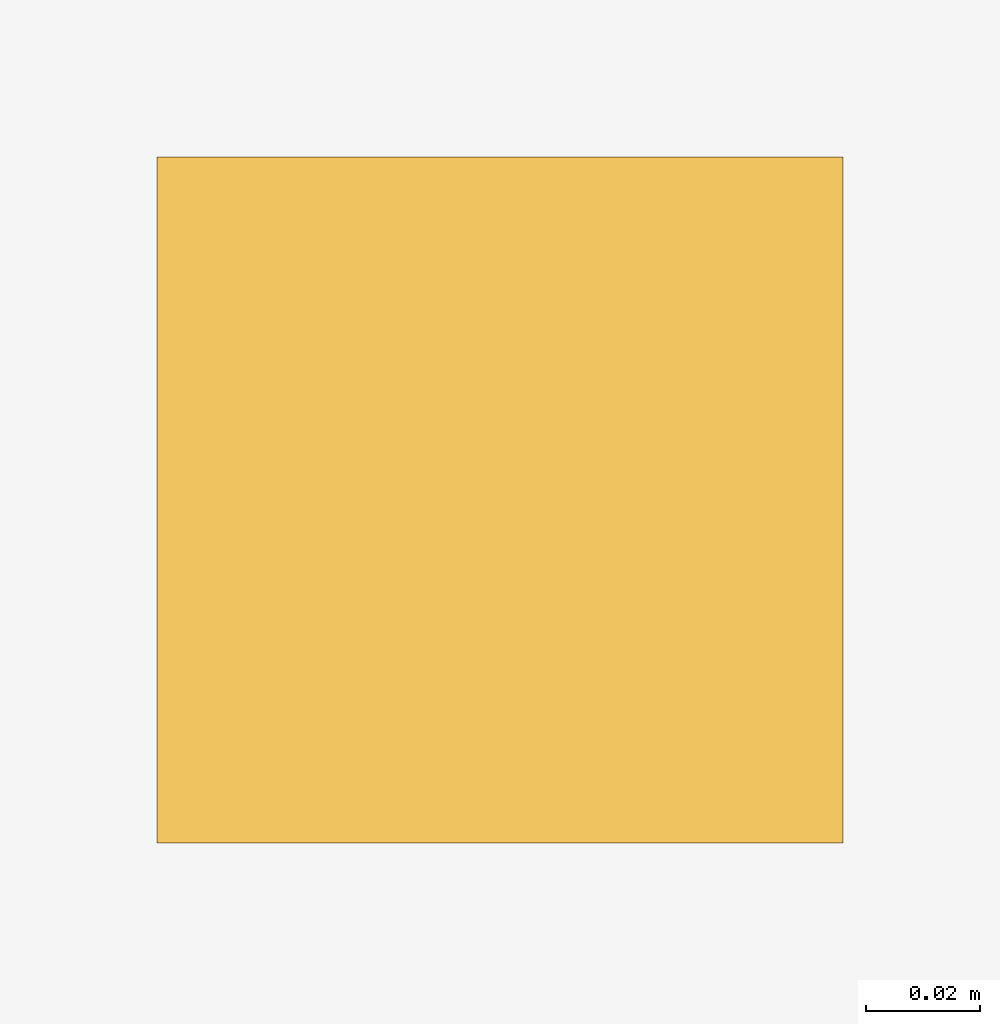
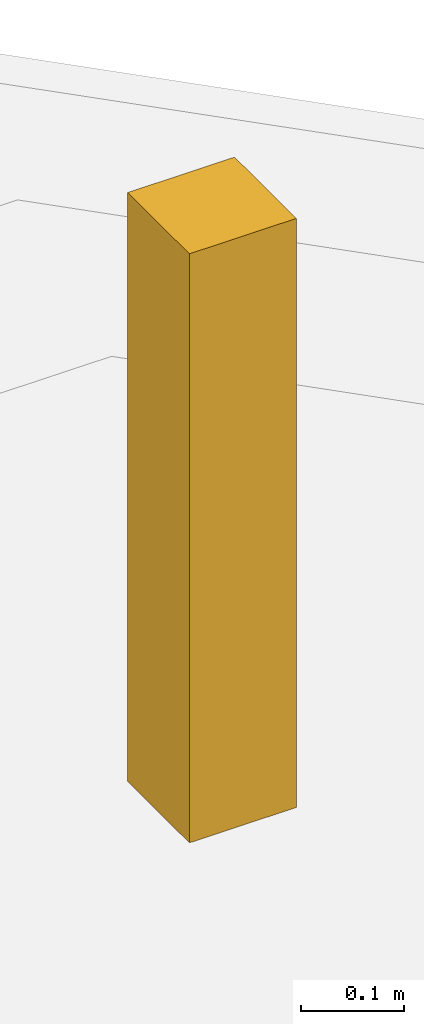
# One storey, part 16 of 20: 1 covering.
"""IFC4 building model written with IfcOpenShell, lengths in metres."""

from ifc_helpers import new_model, si_unit, direction, frame, origin, origin_2d, place, context, subcontext, project, spatial, rectangle, extrude, material, type_object, element, save


model = new_model("IFC4")

# Units and contexts
model_context = context("Model", 3, precision=1e-05, world=origin(), true_north=direction((0.0, 1.0)))
body_context = subcontext(model_context, "Body", "Model", "MODEL_VIEW")
ifc_project = project(units=[si_unit("LENGTHUNIT", "METRE"), si_unit("AREAUNIT", "SQUARE_METRE"), si_unit("VOLUMEUNIT", "CUBIC_METRE"), si_unit("PLANEANGLEUNIT", "RADIAN"), si_unit("MASSUNIT", "GRAM", prefix="KILO")], contexts=[model_context])

# Site, building, storey
site_placement = place(None, origin())
site = spatial("IfcSite", under=ifc_project, at=site_placement, CompositionType="ELEMENT")
building_placement = place(site_placement, origin())
building = spatial("IfcBuilding", under=site, at=building_placement, Name="Noorbagh Ring Tower", CompositionType="ELEMENT")
storey_placement = place(building_placement, frame((0.0, 0.0, 34.5)))
storey = spatial("IfcBuildingStorey", under=building, at=storey_placement, Name="L06", CompositionType="ELEMENT", Elevation=34.5)

# Covering
ifc_material = material(Name="Brass finial")
covering_type = type_object("IfcCoveringType", Name="STY-FINIAL", PredefinedType="ROOFING", material=ifc_material)
covering_placement = place(storey_placement, frame((-43.5, 0.0, 1.5), z_axis=(0.0, 0.0, 1.0), x_axis=(1.0, 0.0, 0.0)))
element("IfcCovering", 1, at=covering_placement, inside=storey, type_object=covering_type, Name="Chhatri 2 finial", PredefinedType="ROOFING", context=body_context, shape_type="SweptSolid", body=[
    extrude(rectangle(XDim=0.1201171875, YDim=0.1201171875, at=origin_2d()), origin(), (0.0, 0.0, 1.0), 0.699951171875),
])

save(model, "model.ifc")
